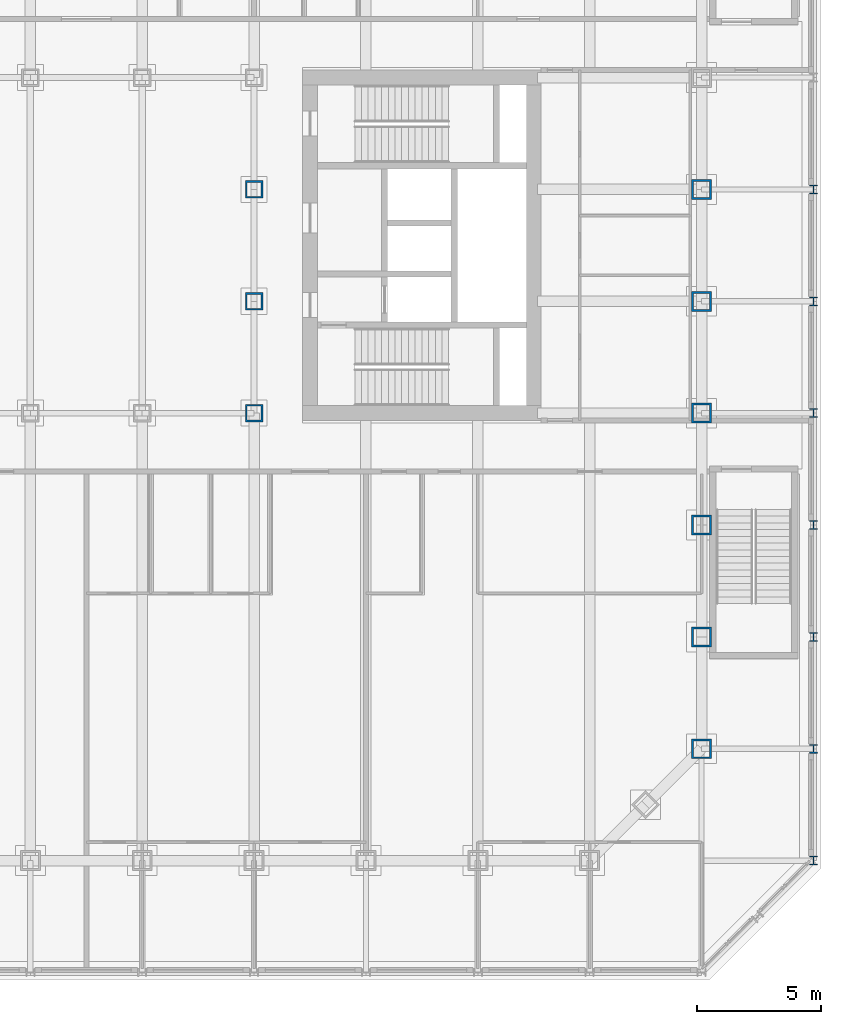
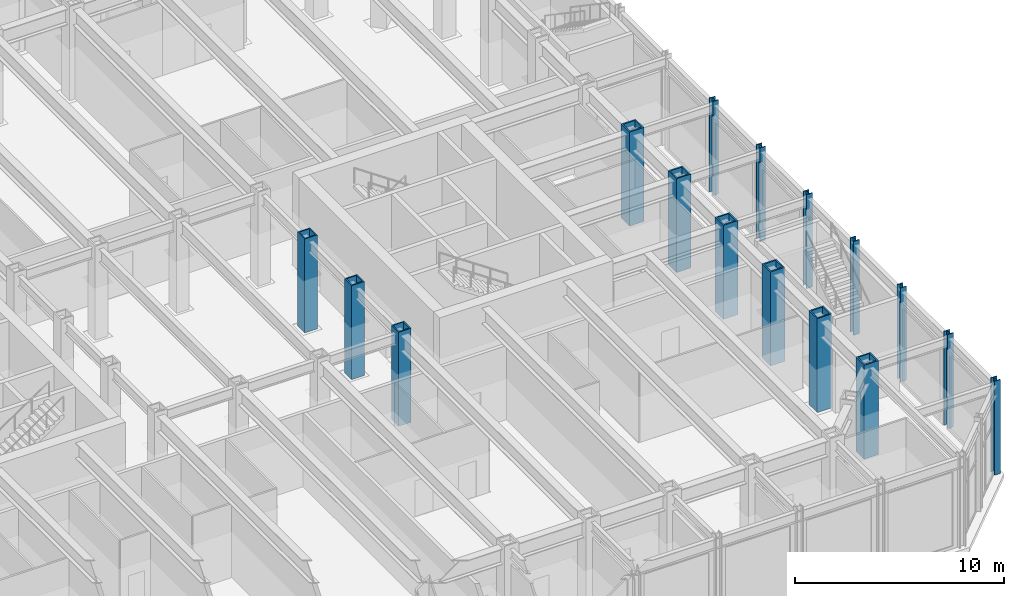
# One storey, part 2 of 19: 16 columns.
"""IFC4 building model written with IfcOpenShell, lengths in metres."""

from ifc_helpers import new_model, si_unit, direction, frame, origin, origin_2d, place, context, subcontext, project, spatial, hollow_rectangle, i_section, extrude, material, material_profile, profile_set, type_object, element, save


model = new_model("IFC4")

# Units and contexts
model_context = context("Model", 3, precision=1e-05, world=origin(), true_north=direction((0.0, 1.0)))
body_context = subcontext(model_context, "Body", "Model", "MODEL_VIEW")
ifc_project = project(units=[si_unit("LENGTHUNIT", "METRE"), si_unit("AREAUNIT", "SQUARE_METRE"), si_unit("VOLUMEUNIT", "CUBIC_METRE"), si_unit("PLANEANGLEUNIT", "RADIAN"), si_unit("MASSUNIT", "GRAM", prefix="KILO")], contexts=[model_context])

# Site, building, storey
site_placement = place(None, origin())
site = spatial("IfcSite", under=ifc_project, at=site_placement, CompositionType="ELEMENT")
building_placement = place(site_placement, origin())
building = spatial("IfcBuilding", under=site, at=building_placement, Name="Msasa Ring Tower", CompositionType="ELEMENT")
storey_placement = place(building_placement, frame((0.0, 0.0, 16.0)))
storey = spatial("IfcBuildingStorey", under=building, at=storey_placement, Name="L03", CompositionType="ELEMENT", Elevation=16.0)

# Columns
ifc_material_1 = material(Name="Steel S355", Category="steel")
ifc_material_profile_1 = material_profile(ifc_material_1, hollow_rectangle(XDim=0.699951171875, YDim=0.699951171875, WallThickness=0.070068359375, at=origin_2d()), Name="BOX 700x700x70")
ifc_profile_set_1 = profile_set([ifc_material_profile_1], Name="Steel S355")
column_type_1 = type_object("IfcColumnType", Name="IC1 BOX 700x700x70", PredefinedType="COLUMN", material=ifc_profile_set_1)
for number, where, z_axis, x_axis, name in (
    (1, (6.75, -6.75, 0.0), (0.0, 0.0, 1.0), (1.0, 0.0, 0.0), "Inner ring column IR+6.75-6.75 L03"),
    (2, (6.75, -2.25, 0.0), (0.0, 0.0, 1.0), (1.0, 0.0, 0.0), "Inner ring column IR+6.75-2.25 L03"),
    (3, (6.75, 2.25, 0.0), (0.0, 0.0, 1.0), (1.0, 0.0, 0.0), "Inner ring column IR+6.75+2.25 L03"),
):
    element("IfcColumn", number, at=place(storey_placement, frame(where, z_axis=z_axis, x_axis=x_axis)), inside=storey, type_object=column_type_1, Name=name, PredefinedType="COLUMN", context=body_context, shape_type="SweptSolid", body=[
        extrude(hollow_rectangle(XDim=0.699951171875, YDim=0.699951171875, WallThickness=0.070068359375, at=origin_2d()), origin(), (0.0, 0.0, 1.0), 5.5),
    ])
ifc_material_2 = material(Name="Steel S355", Category="steel")
ifc_material_profile_2 = material_profile(ifc_material_2, i_section(OverallWidth=0.322265625, OverallDepth=0.365234375, WebThickness=0.02685546875, FlangeThickness=0.044189453125, FilletRadius=0.01513671875, at=origin_2d()), Name="UC 305x305x283")
ifc_profile_set_2 = profile_set([ifc_material_profile_2], Name="Steel S355")
column_type_2 = type_object("IfcColumnType", Name="PC1 UC 305x305x283", PredefinedType="COLUMN", material=ifc_profile_set_2)
for number, where, z_axis, x_axis, name in (
    (4, (29.25, -24.75, 0.0), (0.0, 0.0, 1.0), (1.0, 0.0, 0.0), "Podium column E-24.75 L03"),
    (5, (29.25, -20.25, 0.0), (0.0, 0.0, 1.0), (1.0, 0.0, 0.0), "Podium column E-20.25 L03"),
    (6, (29.25, -15.75, 0.0), (0.0, 0.0, 1.0), (1.0, 0.0, 0.0), "Podium column E-15.75 L03"),
    (7, (29.25, -11.25, 0.0), (0.0, 0.0, 1.0), (1.0, 0.0, 0.0), "Podium column E-11.25 L03"),
    (8, (29.25, -6.75, 0.0), (0.0, 0.0, 1.0), (1.0, 0.0, 0.0), "Podium column E-6.75 L03"),
    (9, (29.25, -2.25, 0.0), (0.0, 0.0, 1.0), (1.0, 0.0, 0.0), "Podium column E-2.25 L03"),
    (10, (29.25, 2.25, 0.0), (0.0, 0.0, 1.0), (1.0, 0.0, 0.0), "Podium column E+2.25 L03"),
):
    element("IfcColumn", number, at=place(storey_placement, frame(where, z_axis=z_axis, x_axis=x_axis)), inside=storey, type_object=column_type_2, Name=name, PredefinedType="COLUMN", context=body_context, shape_type="SweptSolid", body=[
        extrude(i_section(OverallWidth=0.322265625, OverallDepth=0.365234375, WebThickness=0.02685546875, FlangeThickness=0.044189453125, FilletRadius=0.01513671875, at=origin_2d()), origin(), (0.0, 0.0, 1.0), 5.5),
    ])
ifc_material_3 = material(Name="Steel S355", Category="steel")
ifc_material_profile_3 = material_profile(ifc_material_3, hollow_rectangle(XDim=0.800048828125, YDim=0.800048828125, WallThickness=0.080078125, at=origin_2d()), Name="BOX 800x800x80")
ifc_profile_set_3 = profile_set([ifc_material_profile_3], Name="Steel S355")
column_type_3 = type_object("IfcColumnType", Name="TC1 BOX 800x800x80", PredefinedType="COLUMN", material=ifc_profile_set_3)
for number, where, z_axis, x_axis, name in (
    (11, (24.75, -20.25, 0.0), (0.0, 0.0, 1.0), (1.0, 0.0, 0.0), "Tube column E-20.25 L03"),
    (12, (24.75, -15.75, 0.0), (0.0, 0.0, 1.0), (1.0, 0.0, 0.0), "Tube column E-15.75 L03"),
    (13, (24.75, -11.25, 0.0), (0.0, 0.0, 1.0), (1.0, 0.0, 0.0), "Tube column E-11.25 L03"),
    (14, (24.75, -6.75, 0.0), (0.0, 0.0, 1.0), (1.0, 0.0, 0.0), "Tube column E-6.75 L03"),
    (15, (24.75, -2.25, 0.0), (0.0, 0.0, 1.0), (1.0, 0.0, 0.0), "Tube column E-2.25 L03"),
    (16, (24.75, 2.25, 0.0), (0.0, 0.0, 1.0), (1.0, 0.0, 0.0), "Tube column E+2.25 L03"),
):
    element("IfcColumn", number, at=place(storey_placement, frame(where, z_axis=z_axis, x_axis=x_axis)), inside=storey, type_object=column_type_3, Name=name, PredefinedType="COLUMN", context=body_context, shape_type="SweptSolid", body=[
        extrude(hollow_rectangle(XDim=0.800048828125, YDim=0.800048828125, WallThickness=0.080078125, at=origin_2d()), origin(), (0.0, 0.0, 1.0), 5.5),
    ])

save(model, "model.ifc")
